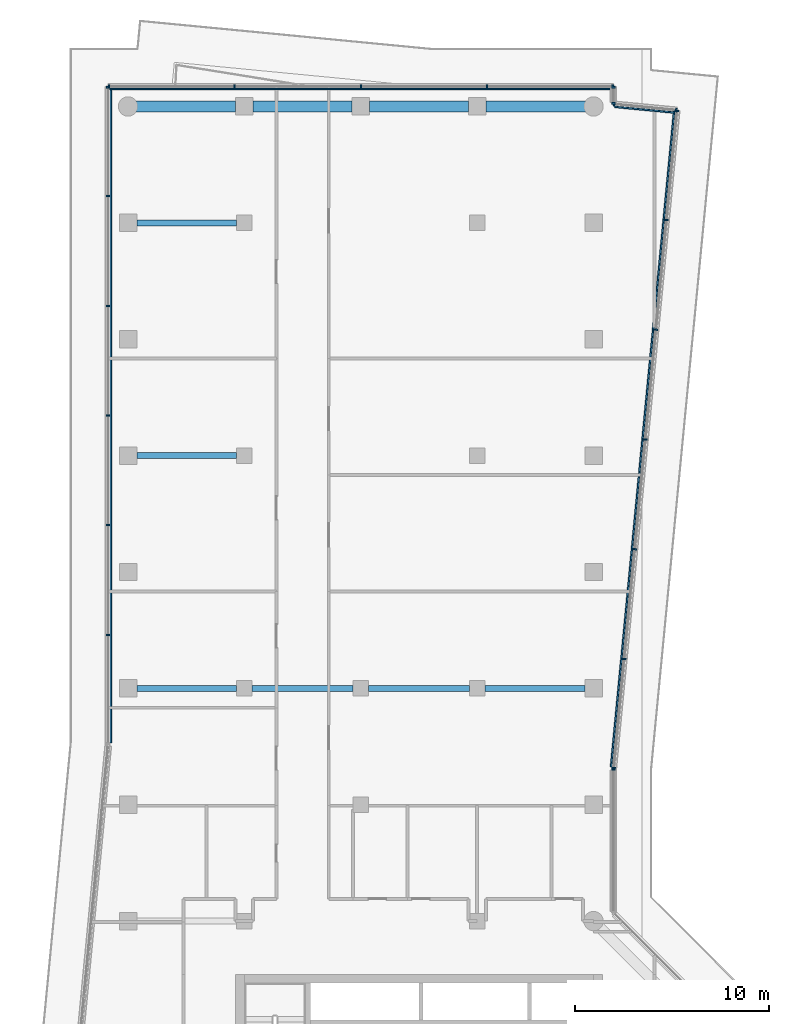
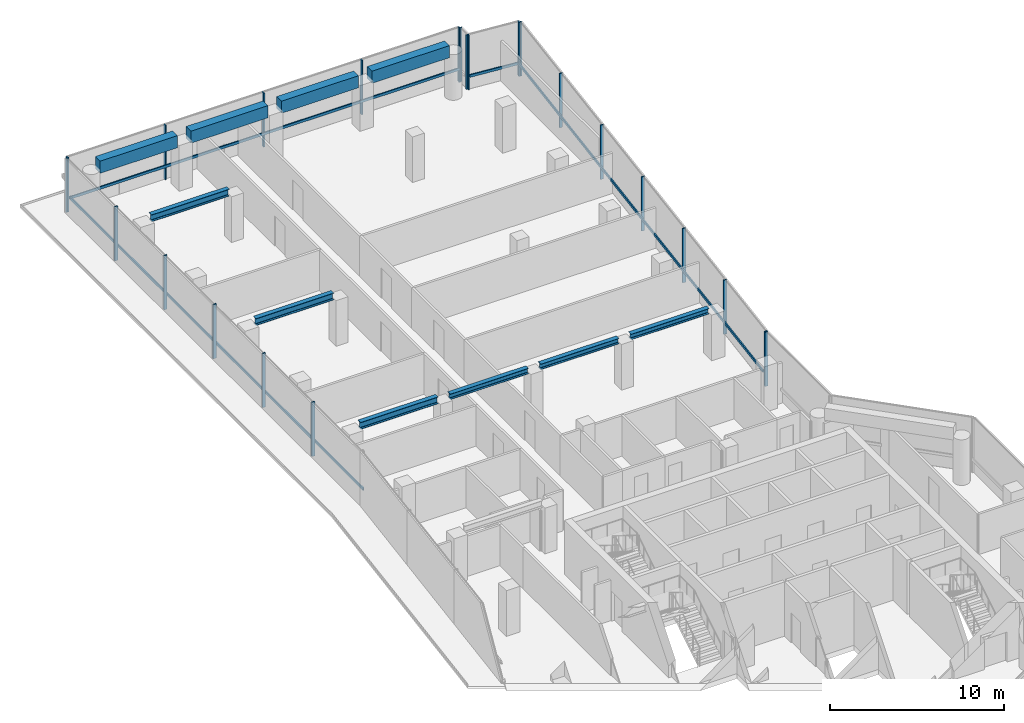
# One storey, part 4 of 13: 27 members, 10 beams, 6 elements without a shape of their own.
"""IFC4 building model written with IfcOpenShell, lengths in metres."""

import ifcopenshell
import ifcopenshell.guid

model = None  # the IFC model being written
_history = None  # IfcOwnerHistory: only IFC2X3 demands one
_inside = {}  # id of a spatial element -> (the spatial element, [elements in it])
_under = {}  # id of a project, library or spatial element -> (it, [spatial elements below it])
_declared = {}  # id of a project -> (the project, [libraries it declares])
_typed = {}  # id of a type object -> (the type object, [elements of that type])
_made_of = {}  # id of a material, layer set ... -> (it, [elements and type objects made of it])


def new_model(schema):
    """Start an empty IFC model of exactly this schema.

    Asked for "IFC4X3", IfcOpenShell would pick the latest addendum, in which some entities
    have other attributes; the version numbers below select the first issue.
    IFC2X3 requires an IfcOwnerHistory on every rooted entity: one is made here for all.
    """
    global model, _history
    if schema == "IFC4X3":
        model = ifcopenshell.file(schema_version=(4, 3, 0, 0))
    else:
        model = ifcopenshell.file(schema=schema)
    _inside.clear()
    _under.clear()
    _declared.clear()
    _typed.clear()
    _made_of.clear()
    _history = None
    if model.schema == "IFC2X3":
        org = make("IfcOrganization", Name="unknown")
        user = make(
            "IfcPersonAndOrganization",
            ThePerson=make("IfcPerson", FamilyName="unknown"),
            TheOrganization=org,
        )
        app = make(
            "IfcApplication",
            ApplicationDeveloper=org,
            Version="unknown",
            ApplicationFullName="unknown",
            ApplicationIdentifier="unknown",
        )
        _history = make(
            "IfcOwnerHistory",
            OwningUser=user,
            OwningApplication=app,
            ChangeAction="ADDED",
            CreationDate=0,
        )
    return model


def make(cls, **values):
    """One entity of the class cls with the attributes given. An attribute that is None is left unset."""
    return model.create_entity(
        cls, **{name: value for name, value in values.items() if value is not None}
    )


def rooted(cls, **values):
    """An entity with a GlobalId (a new one), such as an element, a storey or a relation."""
    return make(cls, GlobalId=ifcopenshell.guid.new(), OwnerHistory=_history, **values)


def si_unit(unit_type, name, prefix=None):
    """IfcSIUnit, for example si_unit("LENGTHUNIT", "METRE", prefix="MILLI")."""
    return make("IfcSIUnit", UnitType=unit_type, Prefix=prefix, Name=name)


def assignment(units):
    """IfcUnitAssignment: the units of a project."""
    return None if units is None else make("IfcUnitAssignment", Units=units)


def point(xyz):
    """IfcCartesianPoint."""
    return None if xyz is None else make("IfcCartesianPoint", Coordinates=xyz)


def direction(xyz):
    """IfcDirection."""
    return None if xyz is None else make("IfcDirection", DirectionRatios=xyz)


def frame(location, z_axis=None, x_axis=None):
    """IfcAxis2Placement3D, a coordinate frame: its origin and axes. An axis left out is left unset."""
    return make(
        "IfcAxis2Placement3D",
        Location=point(location),
        Axis=direction(z_axis),
        RefDirection=direction(x_axis),
    )


def frame_2d(location, x_axis=None):
    """IfcAxis2Placement2D, a coordinate frame in the plane: its origin and x axis."""
    return make(
        "IfcAxis2Placement2D", Location=point(location), RefDirection=direction(x_axis)
    )


def origin():
    """The frame at (0, 0, 0) with its axes left unset."""
    return frame((0.0, 0.0, 0.0))


def origin_2d():
    """The frame at (0, 0) in the plane with its x axis left unset."""
    return frame_2d((0.0, 0.0))


def place(relative_to, where):
    """IfcLocalPlacement: puts the frame where relative to a parent placement (None: the world)."""
    return make(
        "IfcLocalPlacement", PlacementRelTo=relative_to, RelativePlacement=where
    )


def context(
    kind, dimensions, precision=None, world=None, true_north=None, identifier=None
):
    """IfcGeometricRepresentationContext, for example the 3D "Model" context."""
    return make(
        "IfcGeometricRepresentationContext",
        ContextIdentifier=identifier,
        ContextType=kind,
        CoordinateSpaceDimension=dimensions,
        Precision=precision,
        WorldCoordinateSystem=world,
        TrueNorth=true_north,
    )


def subcontext(parent, identifier, kind, view, scale=None):
    """IfcGeometricRepresentationSubContext, for example "Body" below "Model"."""
    return make(
        "IfcGeometricRepresentationSubContext",
        ContextIdentifier=identifier,
        ContextType=kind,
        ParentContext=parent,
        TargetScale=scale,
        TargetView=view,
    )


def project(units=None, contexts=None):
    """IfcProject with its units and contexts."""
    return rooted(
        "IfcProject",
        Name="project",
        RepresentationContexts=contexts,
        UnitsInContext=assignment(units),
    )


def spatial(cls, under=None, at=None, **own):
    """A site, building, storey or space (cls), placed at a placement, below another one or the project."""
    s = rooted(cls, ObjectPlacement=at, **own)
    if under is not None:
        _under.setdefault(under.id(), (under, []))[1].append(s)
    return s


def profile(cls, at=None, kind="AREA", **sizes):
    """A parametric profile (cls). Its sizes go by their IFC names, for example OverallWidth=200.0."""
    return make(cls, ProfileType=kind, Position=at, **sizes)


def rectangle(**sizes):
    """IfcRectangleProfileDef."""
    return profile("IfcRectangleProfileDef", **sizes)


def i_section(**sizes):
    """IfcIShapeProfileDef."""
    return profile("IfcIShapeProfileDef", **sizes)


def extrude(swept, where, along, depth):
    """IfcExtrudedAreaSolid: the profile swept, set in the frame where, extruded along a direction by depth."""
    return make(
        "IfcExtrudedAreaSolid",
        SweptArea=swept,
        Position=where,
        ExtrudedDirection=direction(along),
        Depth=depth,
    )


def shape(context_of_items, identifier, shape_type, items):
    """IfcShapeRepresentation: the items that make up one representation, for example the "Body"."""
    return make(
        "IfcShapeRepresentation",
        ContextOfItems=context_of_items,
        RepresentationIdentifier=identifier,
        RepresentationType=shape_type,
        Items=items,
    )


def material(Name=None, Category=None):
    """IfcMaterial."""
    return make("IfcMaterial", Name=Name, Category=Category)


def layer(
    of_material, thickness, ventilated=None, Name=None, Category=None, Priority=None
):
    """IfcMaterialLayer: one layer of a wall or slab, of a material (None: an air gap)."""
    return make(
        "IfcMaterialLayer",
        Material=of_material,
        LayerThickness=thickness,
        IsVentilated=ventilated,
        Name=Name,
        Category=Category,
        Priority=Priority,
    )


def layer_set(layers, Name=None):
    """IfcMaterialLayerSet."""
    return make("IfcMaterialLayerSet", MaterialLayers=layers, LayerSetName=Name)


def material_profile(
    of_material, cross_section, Name=None, Category=None, Priority=None
):
    """IfcMaterialProfile: a cross section and its material."""
    return make(
        "IfcMaterialProfile",
        Name=Name,
        Material=of_material,
        Profile=cross_section,
        Priority=Priority,
        Category=Category,
    )


def profile_set(profiles, Name=None, composite=None):
    """IfcMaterialProfileSet."""
    return make(
        "IfcMaterialProfileSet",
        Name=Name,
        MaterialProfiles=profiles,
        CompositeProfile=composite,
    )


def made_of(thing, what):
    """Note that an element or type object is made of a material, layer set ...; save() writes the relation."""
    if what is not None:
        _made_of.setdefault(what.id(), (what, []))[1].append(thing)
    return thing


def type_object(cls, material=None, **own):
    """A type object (cls), such as IfcWallType, which elements share."""
    return made_of(rooted(cls, **own), material)


def element(
    cls,
    number,
    at=None,
    inside=None,
    cuts=None,
    type_object=None,
    material=None,
    context=None,
    identifier="Body",
    shape_type=None,
    held_by="IfcProductDefinitionShape",
    body=None,
    shapes=None,
    **own,
):
    """One element of the class cls, such as IfcWall. Its Tag is "e" and its number.

    at: its placement. inside: the storey or other place that contains it. cuts: it is an
    opening in that element (IfcRelVoidsElement). A single representation is given by context,
    identifier, shape_type and body (its items); several are given by shapes. held_by: the class
    of the entity that holds the representations. save() writes the other relations.
    """
    e = rooted(cls, Tag="e%d" % number, ObjectPlacement=at, **own)
    if body is not None:
        shapes = [shape(context, identifier, shape_type, body)]
    if shapes is not None:
        e.Representation = make(held_by, Representations=shapes)
    if inside is not None:
        _inside.setdefault(inside.id(), (inside, []))[1].append(e)
    if cuts is not None:
        rooted(
            "IfcRelVoidsElement", RelatingBuildingElement=cuts, RelatedOpeningElement=e
        )
    if type_object is not None:
        _typed.setdefault(type_object.id(), (type_object, []))[1].append(e)
    return made_of(e, material)


def aggregate(whole, parts):
    """IfcRelAggregates: a whole, such as a stair, and the parts it consists of."""
    return rooted("IfcRelAggregates", RelatingObject=whole, RelatedObjects=parts)


def save(model, path):
    """Write the relations noted so far, then the file.

    IfcRelAggregates (storeys below a building ...), IfcRelContainedInSpatialStructure (elements
    in a storey), IfcRelDefinesByType, IfcRelAssociatesMaterial and IfcRelDeclares: one each for
    every whole, place, type object, material and project.
    """
    for whole, parts in _under.values():
        aggregate(whole, parts)
    for where, things in _inside.values():
        rooted(
            "IfcRelContainedInSpatialStructure",
            RelatedElements=things,
            RelatingStructure=where,
        )
    for kind, things in _typed.values():
        rooted("IfcRelDefinesByType", RelatedObjects=things, RelatingType=kind)
    for what, things in _made_of.values():
        rooted("IfcRelAssociatesMaterial", RelatedObjects=things, RelatingMaterial=what)
    for by, libraries in _declared.values():
        rooted("IfcRelDeclares", RelatingContext=by, RelatedDefinitions=libraries)
    model.write(path)


model = new_model("IFC4")

# Units and contexts
model_context = context("Model", 3, precision=1e-05, world=origin(), true_north=direction((0.0, 1.0)))
body_context = subcontext(model_context, "Body", "Model", "MODEL_VIEW")
ifc_project = project(units=[si_unit("LENGTHUNIT", "METRE"), si_unit("AREAUNIT", "SQUARE_METRE"), si_unit("VOLUMEUNIT", "CUBIC_METRE"), si_unit("PLANEANGLEUNIT", "RADIAN"), si_unit("MASSUNIT", "GRAM", prefix="KILO")], contexts=[model_context])

# Site, building, storey
site_placement = place(None, origin())
site = spatial("IfcSite", under=ifc_project, at=site_placement, CompositionType="ELEMENT")
building_placement = place(site_placement, origin())
building = spatial("IfcBuilding", under=site, at=building_placement, Name="Welwitschia Terrace Campus", CompositionType="ELEMENT")
storey_placement = place(building_placement, frame((0.0, 0.0, 251.60009765625)))
storey = spatial("IfcBuildingStorey", under=building, at=storey_placement, Name="L56", CompositionType="ELEMENT", Elevation=251.60009765625)

# Beams
ifc_material_1 = material(Name="Steel S355", Category="steel")
ifc_material_profile_1 = material_profile(ifc_material_1, i_section(OverallWidth=0.300048828125, OverallDepth=0.389892578125, WebThickness=0.010986328125, FlangeThickness=0.01904296875, FilletRadius=0.027099609375, at=origin_2d()))
ifc_profile_set_1 = profile_set([ifc_material_profile_1], Name="Steel S355")
beam_type_1 = type_object("IfcBeamType", Name="Interior girder HE 400 A", PredefinedType="BEAM", material=ifc_profile_set_1)
for number, where, z_axis, x_axis, name in (
    (1, (6.400390625, 40.0, 3.294921875), (1.0, 0.0, 0.0), (0.0, 1.0, 0.0), "Girder GB5"),
    (2, (12.400390625, 40.0, 3.294921875), (1.0, 0.0, 0.0), (0.0, 1.0, 0.0), "Girder GB5"),
):
    element("IfcBeam", number, at=place(storey_placement, frame(where, z_axis=z_axis, x_axis=x_axis)), inside=storey, type_object=beam_type_1, Name=name, PredefinedType="BEAM", context=body_context, shape_type="SweptSolid", body=[
        extrude(i_section(OverallWidth=0.300048828125, OverallDepth=0.389892578125, WebThickness=0.010986328125, FlangeThickness=0.01904296875, FilletRadius=0.027099609375, at=origin_2d()), origin(), (0.0, 0.0, 1.0), 5.19921875),
    ])
beam_1_placement = place(storey_placement, frame((18.400390625, 40.0, 3.294921875), z_axis=(1.0, 0.0, 0.0), x_axis=(0.0, 1.0, 0.0)))
element("IfcBeam", 3, at=beam_1_placement, inside=storey, type_object=beam_type_1, Name="Girder GB5", PredefinedType="BEAM", context=body_context, shape_type="SweptSolid", body=[
    extrude(i_section(OverallWidth=0.300048828125, OverallDepth=0.389892578125, WebThickness=0.010986328125, FlangeThickness=0.01904296875, FilletRadius=0.027099609375, at=origin_2d()), origin(), (0.0, 0.0, 1.0), 5.1591796875),
])

# Curtain wall, members
ifc_material_2 = material(Name="Bronze anodised aluminium", Category="aluminium")
ifc_layer = layer(ifc_material_2, 0.199951171875)
ifc_layer_set = layer_set([ifc_layer], Name="Bronze anodised aluminium")
curtain_wall_type = type_object("IfcCurtainWallType", Name="Curtain wall CW6 plant floor 6000", PredefinedType="NOTDEFINED", material=ifc_layer_set)
curtain_wall_1_placement = place(storey_placement, origin())
curtain_wall_1 = element("IfcCurtainWall", 4, at=curtain_wall_1_placement, inside=storey, type_object=curtain_wall_type, Name="CW L56.0.0", PredefinedType="NOTDEFINED")
ifc_material_3 = material(Name="Bronze anodised aluminium", Category="aluminium")
ifc_material_profile_2 = material_profile(ifc_material_3, rectangle(XDim=0.199951171875, YDim=0.080078125, at=origin_2d()))
ifc_profile_set_2 = profile_set([ifc_material_profile_2], Name="Bronze anodised aluminium")
member_type_1 = type_object("IfcMemberType", Name="Mullion 80x200", PredefinedType="MULLION", material=ifc_profile_set_2)
member_1_placement = place(storey_placement, frame((-1.030029296875, 70.989990234375, 0.0), z_axis=(0.0, 0.0, 1.0), x_axis=(1.0, 0.0, 0.0)))
member_1 = element("IfcMember", 5, at=member_1_placement, type_object=member_type_1, Name="Mullion L56.0.0.0", PredefinedType="MULLION", context=body_context, shape_type="SweptSolid", body=[
    extrude(rectangle(XDim=0.199951171875, YDim=0.080078125, at=origin_2d()), origin(), (0.0, 0.0, 1.0), 3.7998046875),
])
member_2_placement = place(storey_placement, frame((-1.030029296875, 65.37646484375, 0.0), z_axis=(0.0, 0.0, 1.0), x_axis=(1.0, 0.0, 0.0)))
member_2 = element("IfcMember", 6, at=member_2_placement, type_object=member_type_1, Name="Mullion L56.0.0.1", PredefinedType="MULLION", context=body_context, shape_type="SweptSolid", body=[
    extrude(rectangle(XDim=0.199951171875, YDim=0.080078125, at=origin_2d()), origin(), (0.0, 0.0, 1.0), 3.7998046875),
])
member_3_placement = place(storey_placement, frame((-1.030029296875, 59.722900390625, 0.0), z_axis=(0.0, 0.0, 1.0), x_axis=(1.0, 0.0, 0.0)))
member_3 = element("IfcMember", 7, at=member_3_placement, type_object=member_type_1, Name="Mullion L56.0.0.2", PredefinedType="MULLION", context=body_context, shape_type="SweptSolid", body=[
    extrude(rectangle(XDim=0.199951171875, YDim=0.080078125, at=origin_2d()), origin(), (0.0, 0.0, 1.0), 3.7998046875),
])
member_4_placement = place(storey_placement, frame((-1.030029296875, 54.0693359375, 0.0), z_axis=(0.0, 0.0, 1.0), x_axis=(1.0, 0.0, 0.0)))
member_4 = element("IfcMember", 8, at=member_4_placement, type_object=member_type_1, Name="Mullion L56.0.0.3", PredefinedType="MULLION", context=body_context, shape_type="SweptSolid", body=[
    extrude(rectangle(XDim=0.199951171875, YDim=0.080078125, at=origin_2d()), origin(), (0.0, 0.0, 1.0), 3.7998046875),
])
member_5_placement = place(storey_placement, frame((-1.030029296875, 48.415771484375, 0.0), z_axis=(0.0, 0.0, 1.0), x_axis=(1.0, 0.0, 0.0)))
member_5 = element("IfcMember", 9, at=member_5_placement, type_object=member_type_1, Name="Mullion L56.0.0.4", PredefinedType="MULLION", context=body_context, shape_type="SweptSolid", body=[
    extrude(rectangle(XDim=0.199951171875, YDim=0.080078125, at=origin_2d()), origin(), (0.0, 0.0, 1.0), 3.7998046875),
])
member_6_placement = place(storey_placement, frame((-1.030029296875, 42.76220703125, 0.0), z_axis=(0.0, 0.0, 1.0), x_axis=(1.0, 0.0, 0.0)))
member_6 = element("IfcMember", 10, at=member_6_placement, type_object=member_type_1, Name="Mullion L56.0.0.5", PredefinedType="MULLION", context=body_context, shape_type="SweptSolid", body=[
    extrude(rectangle(XDim=0.199951171875, YDim=0.080078125, at=origin_2d()), origin(), (0.0, 0.0, 1.0), 3.7998046875),
])

# Curtain wall, member
curtain_wall_2_placement = place(storey_placement, origin())
curtain_wall_2 = element("IfcCurtainWall", 11, at=curtain_wall_2_placement, inside=storey, type_object=curtain_wall_type, Name="CW L56.9.0", PredefinedType="NOTDEFINED")
member_7_placement = place(storey_placement, frame((25.030029296875, 35.81689453125, 0.0), z_axis=(0.0, 0.0, 1.0), x_axis=(-1.0, 0.0, 0.0)))
member_7 = element("IfcMember", 12, at=member_7_placement, type_object=member_type_1, Name="Mullion L56.9.0.1", PredefinedType="MULLION", context=body_context, shape_type="SweptSolid", body=[
    extrude(rectangle(XDim=0.199951171875, YDim=0.080078125, at=origin_2d()), origin(), (0.0, 0.0, 1.0), 3.7998046875),
])
aggregate(curtain_wall_2, [member_7])

# Curtain wall, members
curtain_wall_3_placement = place(storey_placement, origin())
curtain_wall_3 = element("IfcCurtainWall", 13, at=curtain_wall_3_placement, inside=storey, type_object=curtain_wall_type, Name="CW L56.10.0", PredefinedType="NOTDEFINED")
member_8_placement = place(storey_placement, frame((25.033935546875, 35.896728515625, 0.0), z_axis=(0.0, 0.0, 1.0), x_axis=(-0.995396198367, 0.09584575252, 0.0)))
member_8 = element("IfcMember", 14, at=member_8_placement, type_object=member_type_1, Name="Mullion L56.10.0.0", PredefinedType="MULLION", context=body_context, shape_type="SweptSolid", body=[
    extrude(rectangle(XDim=0.199951171875, YDim=0.080078125, at=origin_2d()), origin(), (0.0, 0.0, 1.0), 3.7998046875),
])
member_9_placement = place(storey_placement, frame((25.574951171875, 41.515869140625, 0.0), z_axis=(0.0, 0.0, 1.0), x_axis=(-0.995396198367, 0.09584575252, 0.0)))
member_9 = element("IfcMember", 15, at=member_9_placement, type_object=member_type_1, Name="Mullion L56.10.0.1", PredefinedType="MULLION", context=body_context, shape_type="SweptSolid", body=[
    extrude(rectangle(XDim=0.199951171875, YDim=0.080078125, at=origin_2d()), origin(), (0.0, 0.0, 1.0), 3.7998046875),
])
member_10_placement = place(storey_placement, frame((26.119873046875, 47.1748046875, 0.0), z_axis=(0.0, 0.0, 1.0), x_axis=(-0.995396198367, 0.09584575252, 0.0)))
member_10 = element("IfcMember", 16, at=member_10_placement, type_object=member_type_1, Name="Mullion L56.10.0.2", PredefinedType="MULLION", context=body_context, shape_type="SweptSolid", body=[
    extrude(rectangle(XDim=0.199951171875, YDim=0.080078125, at=origin_2d()), origin(), (0.0, 0.0, 1.0), 3.7998046875),
])
member_11_placement = place(storey_placement, frame((26.664794921875, 52.833984375, 0.0), z_axis=(0.0, 0.0, 1.0), x_axis=(-0.995396198367, 0.09584575252, 0.0)))
member_11 = element("IfcMember", 17, at=member_11_placement, type_object=member_type_1, Name="Mullion L56.10.0.3", PredefinedType="MULLION", context=body_context, shape_type="SweptSolid", body=[
    extrude(rectangle(XDim=0.199951171875, YDim=0.080078125, at=origin_2d()), origin(), (0.0, 0.0, 1.0), 3.7998046875),
])
member_12_placement = place(storey_placement, frame((27.20947265625, 58.492919921875, 0.0), z_axis=(0.0, 0.0, 1.0), x_axis=(-0.995396198367, 0.09584575252, 0.0)))
member_12 = element("IfcMember", 18, at=member_12_placement, type_object=member_type_1, Name="Mullion L56.10.0.4", PredefinedType="MULLION", context=body_context, shape_type="SweptSolid", body=[
    extrude(rectangle(XDim=0.199951171875, YDim=0.080078125, at=origin_2d()), origin(), (0.0, 0.0, 1.0), 3.7998046875),
])
member_13_placement = place(storey_placement, frame((27.75439453125, 64.15185546875, 0.0), z_axis=(0.0, 0.0, 1.0), x_axis=(-0.995396198367, 0.09584575252, 0.0)))
member_13 = element("IfcMember", 19, at=member_13_placement, type_object=member_type_1, Name="Mullion L56.10.0.5", PredefinedType="MULLION", context=body_context, shape_type="SweptSolid", body=[
    extrude(rectangle(XDim=0.199951171875, YDim=0.080078125, at=origin_2d()), origin(), (0.0, 0.0, 1.0), 3.7998046875),
])
member_14_placement = place(storey_placement, frame((28.295654296875, 69.77099609375, 0.0), z_axis=(0.0, 0.0, 1.0), x_axis=(-0.995396198367, 0.09584575252, 0.0)))
member_14 = element("IfcMember", 20, at=member_14_placement, type_object=member_type_1, Name="Mullion L56.10.0.6", PredefinedType="MULLION", context=body_context, shape_type="SweptSolid", body=[
    extrude(rectangle(XDim=0.199951171875, YDim=0.080078125, at=origin_2d()), origin(), (0.0, 0.0, 1.0), 3.7998046875),
])

curtain_wall_4_placement = place(storey_placement, origin())
curtain_wall_4 = element("IfcCurtainWall", 21, at=curtain_wall_4_placement, inside=storey, type_object=curtain_wall_type, Name="CW L56.11.0", PredefinedType="NOTDEFINED")
member_15_placement = place(storey_placement, frame((28.259521484375, 69.814697265625, 0.0), z_axis=(0.0, 0.0, 1.0), x_axis=(-0.09584575252, -0.995396198367, 0.0)))
member_15 = element("IfcMember", 22, at=member_15_placement, type_object=member_type_1, Name="Mullion L56.11.0.0", PredefinedType="MULLION", context=body_context, shape_type="SweptSolid", body=[
    extrude(rectangle(XDim=0.199951171875, YDim=0.080078125, at=origin_2d()), origin(), (0.0, 0.0, 1.0), 3.7998046875),
])
member_16_placement = place(storey_placement, frame((25.06982421875, 70.121826171875, 0.0), z_axis=(0.0, 0.0, 1.0), x_axis=(-0.09584575252, -0.995396198367, 0.0)))
member_16 = element("IfcMember", 23, at=member_16_placement, type_object=member_type_1, Name="Mullion L56.11.0.1", PredefinedType="MULLION", context=body_context, shape_type="SweptSolid", body=[
    extrude(rectangle(XDim=0.199951171875, YDim=0.080078125, at=origin_2d()), origin(), (0.0, 0.0, 1.0), 3.7998046875),
])

curtain_wall_5_placement = place(storey_placement, origin())
curtain_wall_5 = element("IfcCurtainWall", 24, at=curtain_wall_5_placement, inside=storey, type_object=curtain_wall_type, Name="CW L56.12.0", PredefinedType="NOTDEFINED")
member_17_placement = place(storey_placement, frame((25.030029296875, 70.16552734375, 0.0), z_axis=(0.0, 0.0, 1.0), x_axis=(-1.0, 0.0, 0.0)))
member_17 = element("IfcMember", 25, at=member_17_placement, type_object=member_type_1, Name="Mullion L56.12.0.0", PredefinedType="MULLION", context=body_context, shape_type="SweptSolid", body=[
    extrude(rectangle(XDim=0.199951171875, YDim=0.080078125, at=origin_2d()), origin(), (0.0, 0.0, 1.0), 3.7998046875),
])
member_18_placement = place(storey_placement, frame((25.030029296875, 70.989990234375, 0.0), z_axis=(0.0, 0.0, 1.0), x_axis=(-1.0, 0.0, 0.0)))
member_18 = element("IfcMember", 26, at=member_18_placement, type_object=member_type_1, Name="Mullion L56.12.0.1", PredefinedType="MULLION", context=body_context, shape_type="SweptSolid", body=[
    extrude(rectangle(XDim=0.199951171875, YDim=0.080078125, at=origin_2d()), origin(), (0.0, 0.0, 1.0), 3.7998046875),
])
aggregate(curtain_wall_5, [member_17, member_18])

curtain_wall_6_placement = place(storey_placement, origin())
curtain_wall_6 = element("IfcCurtainWall", 27, at=curtain_wall_6_placement, inside=storey, type_object=curtain_wall_type, Name="CW L56.13.0", PredefinedType="NOTDEFINED")
member_19_placement = place(storey_placement, frame((24.989990234375, 71.030029296875, 0.0), z_axis=(0.0, 0.0, 1.0), x_axis=(0.0, -1.0, 0.0)))
member_19 = element("IfcMember", 28, at=member_19_placement, type_object=member_type_1, Name="Mullion L56.13.0.0", PredefinedType="MULLION", context=body_context, shape_type="SweptSolid", body=[
    extrude(rectangle(XDim=0.199951171875, YDim=0.080078125, at=origin_2d()), origin(), (0.0, 0.0, 1.0), 3.7998046875),
])
member_20_placement = place(storey_placement, frame((18.514892578125, 71.030029296875, 0.0), z_axis=(0.0, 0.0, 1.0), x_axis=(0.0, -1.0, 0.0)))
member_20 = element("IfcMember", 29, at=member_20_placement, type_object=member_type_1, Name="Mullion L56.13.0.1", PredefinedType="MULLION", context=body_context, shape_type="SweptSolid", body=[
    extrude(rectangle(XDim=0.199951171875, YDim=0.080078125, at=origin_2d()), origin(), (0.0, 0.0, 1.0), 3.7998046875),
])
member_21_placement = place(storey_placement, frame((12.0, 71.030029296875, 0.0), z_axis=(0.0, 0.0, 1.0), x_axis=(0.0, -1.0, 0.0)))
member_21 = element("IfcMember", 30, at=member_21_placement, type_object=member_type_1, Name="Mullion L56.13.0.2", PredefinedType="MULLION", context=body_context, shape_type="SweptSolid", body=[
    extrude(rectangle(XDim=0.199951171875, YDim=0.080078125, at=origin_2d()), origin(), (0.0, 0.0, 1.0), 3.7998046875),
])
member_22_placement = place(storey_placement, frame((5.485107421875, 71.030029296875, 0.0), z_axis=(0.0, 0.0, 1.0), x_axis=(0.0, -1.0, 0.0)))
member_22 = element("IfcMember", 31, at=member_22_placement, type_object=member_type_1, Name="Mullion L56.13.0.3", PredefinedType="MULLION", context=body_context, shape_type="SweptSolid", body=[
    extrude(rectangle(XDim=0.199951171875, YDim=0.080078125, at=origin_2d()), origin(), (0.0, 0.0, 1.0), 3.7998046875),
])
member_23_placement = place(storey_placement, frame((-0.989990234375, 71.030029296875, 0.0), z_axis=(0.0, 0.0, 1.0), x_axis=(0.0, -1.0, 0.0)))
member_23 = element("IfcMember", 32, at=member_23_placement, type_object=member_type_1, Name="Mullion L56.13.0.4", PredefinedType="MULLION", context=body_context, shape_type="SweptSolid", body=[
    extrude(rectangle(XDim=0.199951171875, YDim=0.080078125, at=origin_2d()), origin(), (0.0, 0.0, 1.0), 3.7998046875),
])

# Beams
ifc_material_4 = material(Name="Steel S355", Category="steel")
ifc_material_profile_3 = material_profile(ifc_material_4, i_section(OverallWidth=0.300048828125, OverallDepth=0.489990234375, WebThickness=0.011962890625, FlangeThickness=0.02294921875, FilletRadius=0.027099609375, at=origin_2d()))
ifc_profile_set_3 = profile_set([ifc_material_profile_3], Name="Steel S355")
beam_type_2 = type_object("IfcBeamType", Name="Primary beam HE 500 A", PredefinedType="BEAM", material=ifc_profile_set_3)
for number, where, z_axis, x_axis, name in (
    (33, (0.450439453125, 64.0, 3.344970703125), (1.0, 0.0, 0.0), (0.0, 1.0, 0.0), "Primary beam PB5"),
    (34, (0.450439453125, 52.0, 3.344970703125), (1.0, 0.0, 0.0), (0.0, 1.0, 0.0), "Primary beam PB5"),
    (35, (0.450439453125, 40.0, 3.344970703125), (1.0, 0.0, 0.0), (0.0, 1.0, 0.0), "Primary beam PB5"),
):
    element("IfcBeam", number, at=place(storey_placement, frame(where, z_axis=z_axis, x_axis=x_axis)), inside=storey, type_object=beam_type_2, Name=name, PredefinedType="BEAM", context=body_context, shape_type="SweptSolid", body=[
        extrude(i_section(OverallWidth=0.300048828125, OverallDepth=0.489990234375, WebThickness=0.011962890625, FlangeThickness=0.02294921875, FilletRadius=0.027099609375, at=origin_2d()), origin(), (0.0, 0.0, 1.0), 5.149169921875),
    ])
ifc_material_5 = material(Name="Concrete C50/60", Category="concrete")
ifc_material_profile_4 = material_profile(ifc_material_5, rectangle(XDim=0.550048828125, YDim=0.85009765625, at=origin_2d()))
ifc_profile_set_4 = profile_set([ifc_material_profile_4], Name="Concrete C50/60")
beam_type_3 = type_object("IfcBeamType", Name="Ring spandrel 550x850", PredefinedType="SPANDREL", material=ifc_profile_set_4)
beam_2_placement = place(storey_placement, frame((23.58154296875, 70.0, 3.375), z_axis=(-1.0, 0.0, 0.0), x_axis=(0.0, -1.0, 0.0)))
element("IfcBeam", 36, at=beam_2_placement, inside=storey, type_object=beam_type_3, Name="Spandrel SP3", PredefinedType="SPANDREL", context=body_context, shape_type="SweptSolid", body=[
    extrude(rectangle(XDim=0.550048828125, YDim=0.85009765625, at=origin_2d()), origin(), (0.0, 0.0, 1.0), 5.131103515625),
])
for number, where, z_axis, x_axis, name in (
    (37, (17.549560546875, 70.0, 3.375), (-1.0, 0.0, 0.0), (0.0, -1.0, 0.0), "Spandrel SP3"),
    (38, (11.549560546875, 70.0, 3.375), (-1.0, 0.0, 0.0), (0.0, -1.0, 0.0), "Spandrel SP3"),
):
    element("IfcBeam", number, at=place(storey_placement, frame(where, z_axis=z_axis, x_axis=x_axis)), inside=storey, type_object=beam_type_3, Name=name, PredefinedType="SPANDREL", context=body_context, shape_type="SweptSolid", body=[
        extrude(rectangle(XDim=0.550048828125, YDim=0.85009765625, at=origin_2d()), origin(), (0.0, 0.0, 1.0), 5.09912109375),
    ])
beam_3_placement = place(storey_placement, frame((5.549560546875, 70.0, 3.375), z_axis=(-1.0, 0.0, 0.0), x_axis=(0.0, -1.0, 0.0)))
element("IfcBeam", 39, at=beam_3_placement, inside=storey, type_object=beam_type_3, Name="Spandrel SP3", PredefinedType="SPANDREL", context=body_context, shape_type="SweptSolid", body=[
    extrude(rectangle(XDim=0.550048828125, YDim=0.85009765625, at=origin_2d()), origin(), (0.0, 0.0, 1.0), 5.131103515625),
])

# Member
ifc_material_6 = material(Name="Bronze anodised aluminium", Category="aluminium")
ifc_material_profile_5 = material_profile(ifc_material_6, rectangle(XDim=0.080078125, YDim=0.179931640625, at=origin_2d()))
ifc_profile_set_5 = profile_set([ifc_material_profile_5], Name="Bronze anodised aluminium")
member_type_2 = type_object("IfcMemberType", Name="Transom 80x180", PredefinedType="USERDEFINED", material=ifc_profile_set_5)
member_24_placement = place(storey_placement, frame((-0.889892578125, 70.949951171875, 1.0), z_axis=(0.0, -1.0, 0.0), x_axis=(1.0, 0.0, 0.0)))
member_24 = element("IfcMember", 40, at=member_24_placement, type_object=member_type_2, Name="Transom L56.0.0", ObjectType="TRANSOM", PredefinedType="USERDEFINED", context=body_context, shape_type="SweptSolid", body=[
    extrude(rectangle(XDim=0.080078125, YDim=0.179931640625, at=origin_2d()), origin(), (0.0, 0.0, 1.0), 33.76123046875),
])

aggregate(curtain_wall_1, [member_1, member_2, member_3, member_4, member_5, member_6, member_24])

member_25_placement = place(storey_placement, frame((24.898193359375, 35.949951171875, 1.0), z_axis=(0.095848467691, 0.995395936922, 0.0), x_axis=(-0.995395936922, 0.095848467691, 0.0)))
member_25 = element("IfcMember", 41, at=member_25_placement, type_object=member_type_2, Name="Transom L56.10.0", ObjectType="TRANSOM", PredefinedType="USERDEFINED", context=body_context, shape_type="SweptSolid", body=[
    extrude(rectangle(XDim=0.080078125, YDim=0.179931640625, at=origin_2d()), origin(), (0.0, 0.0, 1.0), 33.950927734375),
])

aggregate(curtain_wall_3, [member_8, member_9, member_10, member_11, member_12, member_13, member_14, member_25])

member_26_placement = place(storey_placement, frame((28.206298828125, 69.678955078125, 1.0), z_axis=(-0.99539341128, 0.095874693119, 0.0), x_axis=(-0.095874693119, -0.99539341128, 0.0)))
member_26 = element("IfcMember", 42, at=member_26_placement, type_object=member_type_2, Name="Transom L56.11.0", ObjectType="TRANSOM", PredefinedType="USERDEFINED", context=body_context, shape_type="SweptSolid", body=[
    extrude(rectangle(XDim=0.080078125, YDim=0.179931640625, at=origin_2d()), origin(), (0.0, 0.0, 1.0), 3.12451171875),
])

aggregate(curtain_wall_4, [member_15, member_16, member_26])

member_27_placement = place(storey_placement, frame((24.949951171875, 70.889892578125, 1.0), z_axis=(-1.0, 0.0, 0.0), x_axis=(0.0, -1.0, 0.0)))
member_27 = element("IfcMember", 43, at=member_27_placement, type_object=member_type_2, Name="Transom L56.13.0", ObjectType="TRANSOM", PredefinedType="USERDEFINED", context=body_context, shape_type="SweptSolid", body=[
    extrude(rectangle(XDim=0.080078125, YDim=0.179931640625, at=origin_2d()), origin(), (0.0, 0.0, 1.0), 25.89990234375),
])

aggregate(curtain_wall_6, [member_19, member_20, member_21, member_22, member_23, member_27])

save(model, "model.ifc")
